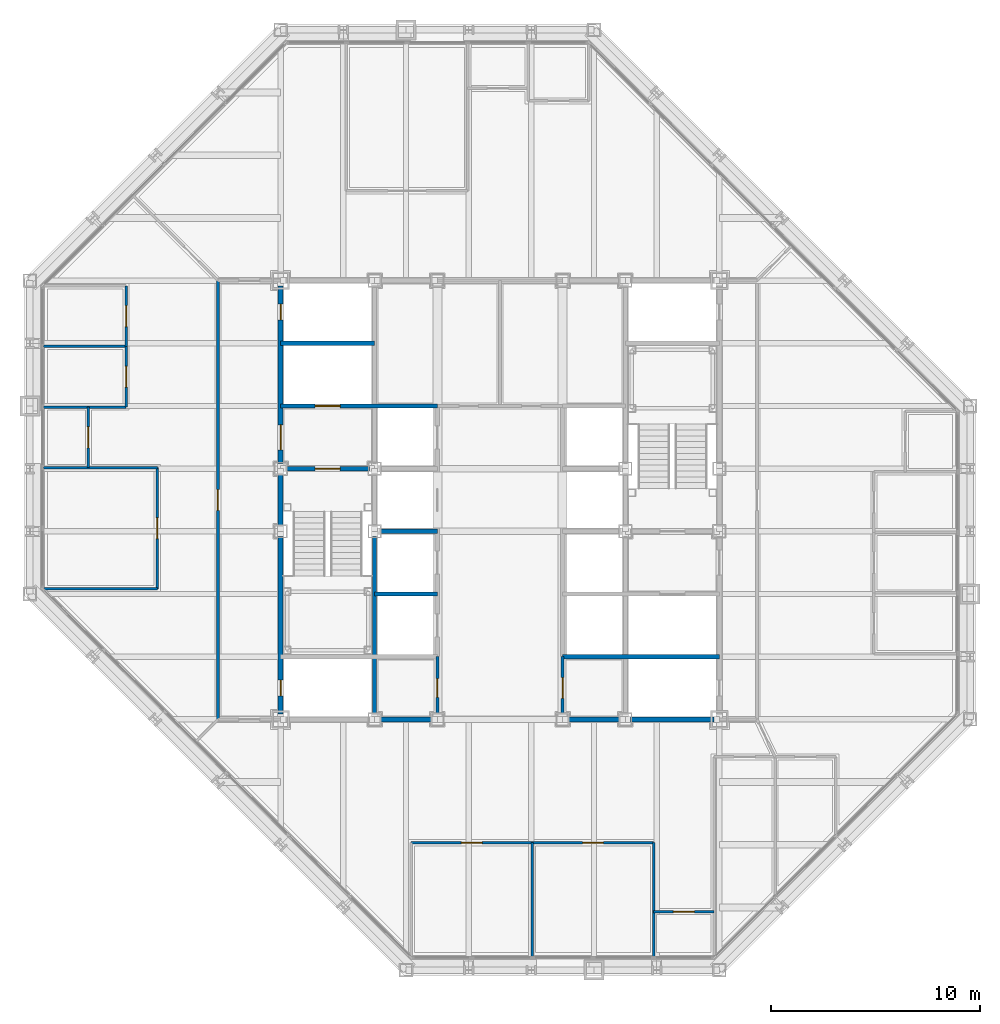
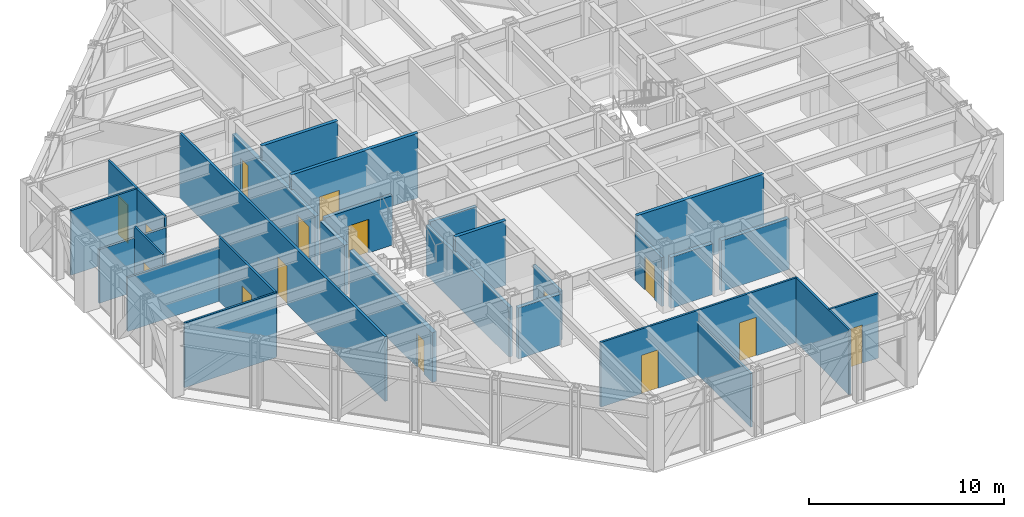
# One storey, part 11 of 16: 29 walls, 15 doors, 15 openings.
"""IFC4 building model written with IfcOpenShell, lengths in metres."""

import ifcopenshell
import ifcopenshell.guid

model = None  # the IFC model being written
_history = None  # IfcOwnerHistory: only IFC2X3 demands one
_inside = {}  # id of a spatial element -> (the spatial element, [elements in it])
_under = {}  # id of a project, library or spatial element -> (it, [spatial elements below it])
_declared = {}  # id of a project -> (the project, [libraries it declares])
_typed = {}  # id of a type object -> (the type object, [elements of that type])
_made_of = {}  # id of a material, layer set ... -> (it, [elements and type objects made of it])


def new_model(schema):
    """Start an empty IFC model of exactly this schema.

    Asked for "IFC4X3", IfcOpenShell would pick the latest addendum, in which some entities
    have other attributes; the version numbers below select the first issue.
    IFC2X3 requires an IfcOwnerHistory on every rooted entity: one is made here for all.
    """
    global model, _history
    if schema == "IFC4X3":
        model = ifcopenshell.file(schema_version=(4, 3, 0, 0))
    else:
        model = ifcopenshell.file(schema=schema)
    _inside.clear()
    _under.clear()
    _declared.clear()
    _typed.clear()
    _made_of.clear()
    _history = None
    if model.schema == "IFC2X3":
        org = make("IfcOrganization", Name="unknown")
        user = make(
            "IfcPersonAndOrganization",
            ThePerson=make("IfcPerson", FamilyName="unknown"),
            TheOrganization=org,
        )
        app = make(
            "IfcApplication",
            ApplicationDeveloper=org,
            Version="unknown",
            ApplicationFullName="unknown",
            ApplicationIdentifier="unknown",
        )
        _history = make(
            "IfcOwnerHistory",
            OwningUser=user,
            OwningApplication=app,
            ChangeAction="ADDED",
            CreationDate=0,
        )
    return model


def make(cls, **values):
    """One entity of the class cls with the attributes given. An attribute that is None is left unset."""
    return model.create_entity(
        cls, **{name: value for name, value in values.items() if value is not None}
    )


def rooted(cls, **values):
    """An entity with a GlobalId (a new one), such as an element, a storey or a relation."""
    return make(cls, GlobalId=ifcopenshell.guid.new(), OwnerHistory=_history, **values)


def si_unit(unit_type, name, prefix=None):
    """IfcSIUnit, for example si_unit("LENGTHUNIT", "METRE", prefix="MILLI")."""
    return make("IfcSIUnit", UnitType=unit_type, Prefix=prefix, Name=name)


def assignment(units):
    """IfcUnitAssignment: the units of a project."""
    return None if units is None else make("IfcUnitAssignment", Units=units)


def point(xyz):
    """IfcCartesianPoint."""
    return None if xyz is None else make("IfcCartesianPoint", Coordinates=xyz)


def direction(xyz):
    """IfcDirection."""
    return None if xyz is None else make("IfcDirection", DirectionRatios=xyz)


def frame(location, z_axis=None, x_axis=None):
    """IfcAxis2Placement3D, a coordinate frame: its origin and axes. An axis left out is left unset."""
    return make(
        "IfcAxis2Placement3D",
        Location=point(location),
        Axis=direction(z_axis),
        RefDirection=direction(x_axis),
    )


def frame_2d(location, x_axis=None):
    """IfcAxis2Placement2D, a coordinate frame in the plane: its origin and x axis."""
    return make(
        "IfcAxis2Placement2D", Location=point(location), RefDirection=direction(x_axis)
    )


def origin():
    """The frame at (0, 0, 0) with its axes left unset."""
    return frame((0.0, 0.0, 0.0))


def place(relative_to, where):
    """IfcLocalPlacement: puts the frame where relative to a parent placement (None: the world)."""
    return make(
        "IfcLocalPlacement", PlacementRelTo=relative_to, RelativePlacement=where
    )


def context(
    kind, dimensions, precision=None, world=None, true_north=None, identifier=None
):
    """IfcGeometricRepresentationContext, for example the 3D "Model" context."""
    return make(
        "IfcGeometricRepresentationContext",
        ContextIdentifier=identifier,
        ContextType=kind,
        CoordinateSpaceDimension=dimensions,
        Precision=precision,
        WorldCoordinateSystem=world,
        TrueNorth=true_north,
    )


def subcontext(parent, identifier, kind, view, scale=None):
    """IfcGeometricRepresentationSubContext, for example "Body" below "Model"."""
    return make(
        "IfcGeometricRepresentationSubContext",
        ContextIdentifier=identifier,
        ContextType=kind,
        ParentContext=parent,
        TargetScale=scale,
        TargetView=view,
    )


def project(units=None, contexts=None):
    """IfcProject with its units and contexts."""
    return rooted(
        "IfcProject",
        Name="project",
        RepresentationContexts=contexts,
        UnitsInContext=assignment(units),
    )


def spatial(cls, under=None, at=None, **own):
    """A site, building, storey or space (cls), placed at a placement, below another one or the project."""
    s = rooted(cls, ObjectPlacement=at, **own)
    if under is not None:
        _under.setdefault(under.id(), (under, []))[1].append(s)
    return s


def profile(cls, at=None, kind="AREA", **sizes):
    """A parametric profile (cls). Its sizes go by their IFC names, for example OverallWidth=200.0."""
    return make(cls, ProfileType=kind, Position=at, **sizes)


def rectangle(**sizes):
    """IfcRectangleProfileDef."""
    return profile("IfcRectangleProfileDef", **sizes)


def extrude(swept, where, along, depth):
    """IfcExtrudedAreaSolid: the profile swept, set in the frame where, extruded along a direction by depth."""
    return make(
        "IfcExtrudedAreaSolid",
        SweptArea=swept,
        Position=where,
        ExtrudedDirection=direction(along),
        Depth=depth,
    )


def shape(context_of_items, identifier, shape_type, items):
    """IfcShapeRepresentation: the items that make up one representation, for example the "Body"."""
    return make(
        "IfcShapeRepresentation",
        ContextOfItems=context_of_items,
        RepresentationIdentifier=identifier,
        RepresentationType=shape_type,
        Items=items,
    )


def material(Name=None, Category=None):
    """IfcMaterial."""
    return make("IfcMaterial", Name=Name, Category=Category)


def layer(
    of_material, thickness, ventilated=None, Name=None, Category=None, Priority=None
):
    """IfcMaterialLayer: one layer of a wall or slab, of a material (None: an air gap)."""
    return make(
        "IfcMaterialLayer",
        Material=of_material,
        LayerThickness=thickness,
        IsVentilated=ventilated,
        Name=Name,
        Category=Category,
        Priority=Priority,
    )


def layer_set(layers, Name=None):
    """IfcMaterialLayerSet."""
    return make("IfcMaterialLayerSet", MaterialLayers=layers, LayerSetName=Name)


def made_of(thing, what):
    """Note that an element or type object is made of a material, layer set ...; save() writes the relation."""
    if what is not None:
        _made_of.setdefault(what.id(), (what, []))[1].append(thing)
    return thing


def type_object(cls, material=None, **own):
    """A type object (cls), such as IfcWallType, which elements share."""
    return made_of(rooted(cls, **own), material)


def element(
    cls,
    number,
    at=None,
    inside=None,
    cuts=None,
    type_object=None,
    material=None,
    context=None,
    identifier="Body",
    shape_type=None,
    held_by="IfcProductDefinitionShape",
    body=None,
    shapes=None,
    **own,
):
    """One element of the class cls, such as IfcWall. Its Tag is "e" and its number.

    at: its placement. inside: the storey or other place that contains it. cuts: it is an
    opening in that element (IfcRelVoidsElement). A single representation is given by context,
    identifier, shape_type and body (its items); several are given by shapes. held_by: the class
    of the entity that holds the representations. save() writes the other relations.
    """
    e = rooted(cls, Tag="e%d" % number, ObjectPlacement=at, **own)
    if body is not None:
        shapes = [shape(context, identifier, shape_type, body)]
    if shapes is not None:
        e.Representation = make(held_by, Representations=shapes)
    if inside is not None:
        _inside.setdefault(inside.id(), (inside, []))[1].append(e)
    if cuts is not None:
        rooted(
            "IfcRelVoidsElement", RelatingBuildingElement=cuts, RelatedOpeningElement=e
        )
    if type_object is not None:
        _typed.setdefault(type_object.id(), (type_object, []))[1].append(e)
    return made_of(e, material)


def fill(opening, filler):
    """IfcRelFillsElement: the door or window that sits in an opening."""
    return rooted(
        "IfcRelFillsElement",
        RelatingOpeningElement=opening,
        RelatedBuildingElement=filler,
    )


def aggregate(whole, parts):
    """IfcRelAggregates: a whole, such as a stair, and the parts it consists of."""
    return rooted("IfcRelAggregates", RelatingObject=whole, RelatedObjects=parts)


def save(model, path):
    """Write the relations noted so far, then the file.

    IfcRelAggregates (storeys below a building ...), IfcRelContainedInSpatialStructure (elements
    in a storey), IfcRelDefinesByType, IfcRelAssociatesMaterial and IfcRelDeclares: one each for
    every whole, place, type object, material and project.
    """
    for whole, parts in _under.values():
        aggregate(whole, parts)
    for where, things in _inside.values():
        rooted(
            "IfcRelContainedInSpatialStructure",
            RelatedElements=things,
            RelatingStructure=where,
        )
    for kind, things in _typed.values():
        rooted("IfcRelDefinesByType", RelatedObjects=things, RelatingType=kind)
    for what, things in _made_of.values():
        rooted("IfcRelAssociatesMaterial", RelatedObjects=things, RelatingMaterial=what)
    for by, libraries in _declared.values():
        rooted("IfcRelDeclares", RelatingContext=by, RelatedDefinitions=libraries)
    model.write(path)


model = new_model("IFC4")

# Units and contexts
model_context = context("Model", 3, precision=1e-05, world=origin(), true_north=direction((0.0, 1.0)))
body_context = subcontext(model_context, "Body", "Model", "MODEL_VIEW")
ifc_project = project(units=[si_unit("LENGTHUNIT", "METRE"), si_unit("AREAUNIT", "SQUARE_METRE"), si_unit("VOLUMEUNIT", "CUBIC_METRE"), si_unit("PLANEANGLEUNIT", "RADIAN"), si_unit("MASSUNIT", "GRAM", prefix="KILO")], contexts=[model_context])

# Site, building, storey
site_placement = place(None, origin())
site = spatial("IfcSite", under=ifc_project, at=site_placement, CompositionType="ELEMENT")
building_placement = place(site_placement, origin())
building = spatial("IfcBuilding", under=site, at=building_placement, Name="Chuquiago Exchange Tower", CompositionType="ELEMENT")
storey_placement = place(building_placement, frame((0.0, 0.0, 209.699951171875)))
storey = spatial("IfcBuildingStorey", under=building, at=storey_placement, Name="L46", CompositionType="ELEMENT", Elevation=209.699951171875)

# Wall, opening, door
ifc_material_1 = material(Name="Concrete masonry, fully grouted", Category="masonry")
ifc_layer_1 = layer(ifc_material_1, 0.25)
ifc_layer_set_1 = layer_set([ifc_layer_1], Name="W1 core wall 250")
wall_type_1 = type_object("IfcWallType", Name="W1 core wall 250", PredefinedType="SOLIDWALL", material=ifc_layer_set_1)
wall_1_placement = place(storey_placement, frame((12.0, 12.25, 0.0), z_axis=(0.0, 0.0, 1.0), x_axis=(0.0, 1.0, 0.0)))
wall_1 = element("IfcWall", 1, at=wall_1_placement, inside=storey, type_object=wall_type_1, Name="CW-L46-00-0", PredefinedType="SOLIDWALL", context=body_context, shape_type="SweptSolid", body=[
    extrude(rectangle(XDim=8.5, YDim=0.25, at=frame_2d((4.25, 0.0))), origin(), (0.0, 0.0, 1.0), 3.113037109375),
])
opening_1_placement = place(wall_1_placement, frame((0.875, 0.0, 0.0)))
opening_1 = element("IfcOpeningElement", 2, at=opening_1_placement, cuts=wall_1, Name="Opening L46-007", PredefinedType="OPENING", context=body_context, shape_type="SweptSolid", body=[
    extrude(rectangle(XDim=0.75, YDim=2.10009765625, at=frame_2d((0.375, 1.050048828125))), frame((0.0, 0.135009765625, 0.0), z_axis=(0.0, -1.0, 0.0), x_axis=(1.0, 0.0, 0.0)), (0.0, 0.0, 1.0), 0.27001953125),
])
ifc_material_2 = material(Name="Steel door, painted", Category="steel")
door_type_1 = type_object("IfcDoorType", Name="D6 riser access door 750x2100", OperationType="SINGLE_SWING_LEFT", PredefinedType="DOOR", material=ifc_material_2)
door_1_placement = place(opening_1_placement, origin())
door_1 = element("IfcDoor", 3, at=door_1_placement, inside=storey, type_object=door_type_1, Name="Riser RW1 door", OperationType="SINGLE_SWING_LEFT", OverallHeight=2.10009765625, OverallWidth=0.75, PredefinedType="DOOR", context=body_context, shape_type="SweptSolid", body=[
    extrude(rectangle(XDim=0.75, YDim=2.10009765625, at=frame_2d((0.375, 1.050048828125))), frame((0.0, 0.02490234375, 0.0), z_axis=(0.0, -1.0, 0.0), x_axis=(1.0, 0.0, 0.0)), (0.0, 0.0, 1.0), 0.050048828125),
])
fill(opening_1, door_1)

# Wall
wall_2_placement = place(storey_placement, frame((12.0, 21.25, 0.0), z_axis=(0.0, 0.0, 1.0), x_axis=(0.0, 1.0, 0.0)))
element("IfcWall", 4, at=wall_2_placement, inside=storey, type_object=wall_type_1, Name="CW-L46-00-1", PredefinedType="SOLIDWALL", context=body_context, shape_type="SweptSolid", body=[
    extrude(rectangle(XDim=2.5, YDim=0.25, at=frame_2d((1.25, 0.0))), origin(), (0.0, 0.0, 1.0), 3.113037109375),
])

# Wall, openings, doors
wall_3_placement = place(storey_placement, frame((12.0, 24.25, 0.0), z_axis=(0.0, 0.0, 1.0), x_axis=(0.0, 1.0, 0.0)))
wall_3 = element("IfcWall", 5, at=wall_3_placement, inside=storey, type_object=wall_type_1, Name="CW-L46-00-2", PredefinedType="SOLIDWALL", context=body_context, shape_type="SweptSolid", body=[
    extrude(rectangle(XDim=8.5, YDim=0.25, at=frame_2d((4.25, 0.0))), origin(), (0.0, 0.0, 1.0), 3.113037109375),
])
opening_2_placement = place(wall_3_placement, frame((0.64990234375, 0.0, 0.0)))
opening_2 = element("IfcOpeningElement", 6, at=opening_2_placement, cuts=wall_3, Name="Opening L46-002", PredefinedType="OPENING", context=body_context, shape_type="SweptSolid", body=[
    extrude(rectangle(XDim=1.199951171875, YDim=2.10009765625, at=frame_2d((0.60009765625, 1.050048828125))), frame((0.0, 0.135009765625, 0.0), z_axis=(0.0, -1.0, 0.0), x_axis=(1.0, 0.0, 0.0)), (0.0, 0.0, 1.0), 0.27001953125),
])
opening_3_placement = place(wall_3_placement, frame((6.875, 0.0, 0.0)))
opening_3 = element("IfcOpeningElement", 7, at=opening_3_placement, cuts=wall_3, Name="Opening L46-008", PredefinedType="OPENING", context=body_context, shape_type="SweptSolid", body=[
    extrude(rectangle(XDim=0.75, YDim=2.10009765625, at=frame_2d((0.375, 1.050048828125))), frame((0.0, 0.135009765625, 0.0), z_axis=(0.0, -1.0, 0.0), x_axis=(1.0, 0.0, 0.0)), (0.0, 0.0, 1.0), 0.27001953125),
])
ifc_material_3 = material(Name="Steel door, painted", Category="steel")
door_type_2 = type_object("IfcDoorType", Name="D5 firefighting lobby door 1200x2100", OperationType="SINGLE_SWING_LEFT", PredefinedType="DOOR", material=ifc_material_3)
door_2_placement = place(opening_2_placement, frame((1.199951171875, 0.0, 0.0), z_axis=(0.0, 0.0, 1.0), x_axis=(-1.0, 0.0, 0.0)))
door_2 = element("IfcDoor", 8, at=door_2_placement, inside=storey, type_object=door_type_2, Name="Firefighting lobby 1 door", OperationType="SINGLE_SWING_RIGHT", OverallHeight=2.10009765625, OverallWidth=1.199951171875, PredefinedType="DOOR", context=body_context, shape_type="SweptSolid", body=[
    extrude(rectangle(XDim=1.199951171875, YDim=2.10009765625, at=frame_2d((0.60009765625, 1.050048828125))), frame((0.0, 0.02490234375, 0.0), z_axis=(0.0, -1.0, 0.0), x_axis=(1.0, 0.0, 0.0)), (0.0, 0.0, 1.0), 0.050048828125),
])
fill(opening_2, door_2)
door_3_placement = place(opening_3_placement, origin())
door_3 = element("IfcDoor", 9, at=door_3_placement, inside=storey, type_object=door_type_1, Name="Riser RW2 door", OperationType="SINGLE_SWING_RIGHT", OverallHeight=2.10009765625, OverallWidth=0.75, PredefinedType="DOOR", context=body_context, shape_type="SweptSolid", body=[
    extrude(rectangle(XDim=0.75, YDim=2.10009765625, at=frame_2d((0.375, 1.050048828125))), frame((0.0, 0.02490234375, 0.0), z_axis=(0.0, -1.0, 0.0), x_axis=(1.0, 0.0, 0.0)), (0.0, 0.0, 1.0), 0.050048828125),
])
fill(opening_3, door_3)

# Walls
for number, where, z_axis, x_axis, name in (
    (10, (16.75, 12.0, 0.0), (0.0, 0.0, 1.0), (1.0, 0.0, 0.0), "CW-L46-01-1"),
    (11, (25.75, 12.0, 0.0), (0.0, 0.0, 1.0), (1.0, 0.0, 0.0), "CW-L46-02-0"),
):
    element("IfcWall", number, at=place(storey_placement, frame(where, z_axis=z_axis, x_axis=x_axis)), inside=storey, type_object=wall_type_1, Name=name, PredefinedType="SOLIDWALL", context=body_context, shape_type="SweptSolid", body=[
        extrude(rectangle(XDim=2.5, YDim=0.25, at=frame_2d((1.25, 0.0))), origin(), (0.0, 0.0, 1.0), 3.181640625),
    ])
wall_4_placement = place(storey_placement, frame((28.75, 12.0, 0.0), z_axis=(0.0, 0.0, 1.0), x_axis=(1.0, 0.0, 0.0)))
element("IfcWall", 12, at=wall_4_placement, inside=storey, type_object=wall_type_1, Name="CW-L46-02-1", PredefinedType="SOLIDWALL", context=body_context, shape_type="SweptSolid", body=[
    extrude(rectangle(XDim=4.0, YDim=0.25, at=frame_2d((2.0, 0.0))), origin(), (0.0, 0.0, 1.0), 3.181640625),
])

# Wall, opening, door
ifc_material_4 = material(Name="Gypsum board on steel studs, acoustic insulation", Category="steel")
ifc_layer_2 = layer(ifc_material_4, 0.14990234375)
ifc_layer_set_2 = layer_set([ifc_layer_2], Name="W11 corridor wall 150")
wall_type_2 = type_object("IfcWallType", Name="W11 corridor wall 150", PredefinedType="PARTITIONING", material=ifc_layer_set_2)
wall_5_placement = place(storey_placement, frame((9.0, 12.0, 0.0), z_axis=(0.0, 0.0, 1.0), x_axis=(0.0, 1.0, 0.0)))
wall_5 = element("IfcWall", 13, at=wall_5_placement, inside=storey, type_object=wall_type_2, Name="PW-L46-GW0", PredefinedType="PARTITIONING", context=body_context, shape_type="SweptSolid", body=[
    extrude(rectangle(XDim=21.0, YDim=0.14990234375, at=frame_2d((10.5, 0.0))), origin(), (0.0, 0.0, 1.0), 4.0400390625),
])
opening_4_placement = place(wall_5_placement, frame((10.0, 0.0, 0.0)))
opening_4 = element("IfcOpeningElement", 14, at=opening_4_placement, cuts=wall_5, Name="Opening L46-035", PredefinedType="OPENING", context=body_context, shape_type="SweptSolid", body=[
    extrude(rectangle(XDim=1.0, YDim=2.39990234375, at=frame_2d((0.5, 1.199951171875))), frame((0.0, 0.0849609375, 0.0), z_axis=(0.0, -1.0, 0.0), x_axis=(1.0, 0.0, 0.0)), (0.0, 0.0, 1.0), 0.169921875),
])
ifc_material_5 = material(Name="Timber door, laminate faced", Category="wood")
door_type_3 = type_object("IfcDoorType", Name="D9 room door 1000x2400", OperationType="SINGLE_SWING_LEFT", PredefinedType="DOOR", material=ifc_material_5)
door_4_placement = place(opening_4_placement, origin())
door_4 = element("IfcDoor", 15, at=door_4_placement, inside=storey, type_object=door_type_3, Name="Team area door", OperationType="SINGLE_SWING_LEFT", OverallHeight=2.39990234375, OverallWidth=1.0, PredefinedType="DOOR", context=body_context, shape_type="SweptSolid", body=[
    extrude(rectangle(XDim=1.0, YDim=2.39990234375, at=frame_2d((0.5, 1.199951171875))), frame((0.0, 0.02490234375, 0.0), z_axis=(0.0, -1.0, 0.0), x_axis=(1.0, 0.0, 0.0)), (0.0, 0.0, 1.0), 0.050048828125),
])
fill(opening_4, door_4)

# Wall
ifc_material_6 = material(Name="Concrete masonry, fully grouted", Category="masonry")
ifc_layer_3 = layer(ifc_material_6, 0.199951171875)
ifc_layer_set_3 = layer_set([ifc_layer_3], Name="W2 shaft wall 200")
wall_type_3 = type_object("IfcWallType", Name="W2 shaft wall 200", PredefinedType="SOLIDWALL", material=ifc_layer_set_3)
wall_6_placement = place(storey_placement, frame((25.5, 15.0, 0.0), z_axis=(0.0, 0.0, 1.0), x_axis=(1.0, 0.0, 0.0)))
element("IfcWall", 16, at=wall_6_placement, inside=storey, type_object=wall_type_3, Name="CW-L46-04-0", PredefinedType="SOLIDWALL", context=body_context, shape_type="SweptSolid", body=[
    extrude(rectangle(XDim=7.5, YDim=0.199951171875, at=frame_2d((3.75, 0.0))), origin(), (0.0, 0.0, 1.0), 4.0400390625),
])

# Wall, opening, door
wall_7_placement = place(storey_placement, frame((12.25, 24.0, 0.0), z_axis=(0.0, 0.0, 1.0), x_axis=(1.0, 0.0, 0.0)))
wall_7 = element("IfcWall", 17, at=wall_7_placement, inside=storey, type_object=wall_type_3, Name="CW-L46-05-0", PredefinedType="SOLIDWALL", context=body_context, shape_type="SweptSolid", body=[
    extrude(rectangle(XDim=4.0, YDim=0.199951171875, at=frame_2d((2.0, 0.0))), origin(), (0.0, 0.0, 1.0), 3.090087890625),
])
opening_5_placement = place(wall_7_placement, frame((1.39990234375, 0.0, 0.0)))
opening_5 = element("IfcOpeningElement", 18, at=opening_5_placement, cuts=wall_7, Name="Opening L46-001", PredefinedType="OPENING", context=body_context, shape_type="SweptSolid", body=[
    extrude(rectangle(XDim=1.199951171875, YDim=2.10009765625, at=frame_2d((0.60009765625, 1.050048828125))), frame((0.0, 0.10986328125, 0.0), z_axis=(0.0, -1.0, 0.0), x_axis=(1.0, 0.0, 0.0)), (0.0, 0.0, 1.0), 0.219970703125),
])
ifc_material_7 = material(Name="Steel door, painted", Category="steel")
door_type_4 = type_object("IfcDoorType", Name="D4 stair door 1200x2100", OperationType="SINGLE_SWING_LEFT", PredefinedType="DOOR", material=ifc_material_7)
door_5_placement = place(opening_5_placement, frame((1.199951171875, 0.0, 0.0), z_axis=(0.0, 0.0, 1.0), x_axis=(-1.0, 0.0, 0.0)))
door_5 = element("IfcDoor", 19, at=door_5_placement, inside=storey, type_object=door_type_4, Name="Stair ST1 door", OperationType="SINGLE_SWING_RIGHT", OverallHeight=2.10009765625, OverallWidth=1.199951171875, PredefinedType="DOOR", context=body_context, shape_type="SweptSolid", body=[
    extrude(rectangle(XDim=1.199951171875, YDim=2.10009765625, at=frame_2d((0.60009765625, 1.050048828125))), frame((0.0, 0.02490234375, 0.0), z_axis=(0.0, -1.0, 0.0), x_axis=(1.0, 0.0, 0.0)), (0.0, 0.0, 1.0), 0.050048828125),
])
fill(opening_5, door_5)

wall_8_placement = place(storey_placement, frame((12.0, 27.0, 0.0), z_axis=(0.0, 0.0, 1.0), x_axis=(1.0, 0.0, 0.0)))
wall_8 = element("IfcWall", 20, at=wall_8_placement, inside=storey, type_object=wall_type_3, Name="CW-L46-07-0", PredefinedType="SOLIDWALL", context=body_context, shape_type="SweptSolid", body=[
    extrude(rectangle(XDim=7.5, YDim=0.199951171875, at=frame_2d((3.75, 0.0))), origin(), (0.0, 0.0, 1.0), 4.0400390625),
])
opening_6_placement = place(wall_8_placement, frame((1.64990234375, 0.0, 0.0)))
opening_6 = element("IfcOpeningElement", 21, at=opening_6_placement, cuts=wall_8, Name="Opening L46-005", PredefinedType="OPENING", context=body_context, shape_type="SweptSolid", body=[
    extrude(rectangle(XDim=1.199951171875, YDim=2.10009765625, at=frame_2d((0.60009765625, 1.050048828125))), frame((0.0, 0.10986328125, 0.0), z_axis=(0.0, -1.0, 0.0), x_axis=(1.0, 0.0, 0.0)), (0.0, 0.0, 1.0), 0.219970703125),
])
ifc_material_8 = material(Name="Stainless steel lift landing door", Category="steel")
door_type_5 = type_object("IfcDoorType", Name="LD2 firefighting lift landing door 1200x2100", OperationType="DOUBLE_DOOR_SLIDING", PredefinedType="DOOR", material=ifc_material_8)
door_6_placement = place(opening_6_placement, origin())
door_6 = element("IfcDoor", 22, at=door_6_placement, inside=storey, type_object=door_type_5, Name="Firefighting lift FL1 landing door", OperationType="DOUBLE_DOOR_SLIDING", OverallHeight=2.10009765625, OverallWidth=1.199951171875, PredefinedType="DOOR", context=body_context, shape_type="SweptSolid", body=[
    extrude(rectangle(XDim=1.199951171875, YDim=2.10009765625, at=frame_2d((0.60009765625, 1.050048828125))), frame((0.0, 0.02490234375, 0.0), z_axis=(0.0, -1.0, 0.0), x_axis=(1.0, 0.0, 0.0)), (0.0, 0.0, 1.0), 0.050048828125),
])
fill(opening_6, door_6)

# Walls
wall_9_placement = place(storey_placement, frame((12.0, 30.0, 0.0), z_axis=(0.0, 0.0, 1.0), x_axis=(1.0, 0.0, 0.0)))
element("IfcWall", 23, at=wall_9_placement, inside=storey, type_object=wall_type_3, Name="CW-L46-09-0", PredefinedType="SOLIDWALL", context=body_context, shape_type="SweptSolid", body=[
    extrude(rectangle(XDim=4.5, YDim=0.199951171875, at=frame_2d((2.25, 0.0))), origin(), (0.0, 0.0, 1.0), 4.0400390625),
])
wall_10_placement = place(storey_placement, frame((16.5, 12.25, 0.0), z_axis=(0.0, 0.0, 1.0), x_axis=(0.0, 1.0, 0.0)))
element("IfcWall", 24, at=wall_10_placement, inside=storey, type_object=wall_type_3, Name="CW-L46-13-0", PredefinedType="SOLIDWALL", context=body_context, shape_type="SweptSolid", body=[
    extrude(rectangle(XDim=8.5, YDim=0.199951171875, at=frame_2d((4.25, 0.0))), origin(), (0.0, 0.0, 1.0), 3.113037109375),
])
wall_11_placement = place(storey_placement, frame((16.5, 18.0, 0.0), z_axis=(0.0, 0.0, 1.0), x_axis=(1.0, 0.0, 0.0)))
element("IfcWall", 25, at=wall_11_placement, inside=storey, type_object=wall_type_3, Name="CW-L46-14-0", PredefinedType="SOLIDWALL", context=body_context, shape_type="SweptSolid", body=[
    extrude(rectangle(XDim=3.0, YDim=0.199951171875, at=frame_2d((1.5, 0.0))), origin(), (0.0, 0.0, 1.0), 4.0400390625),
])
wall_12_placement = place(storey_placement, frame((16.75, 21.0, 0.0), z_axis=(0.0, 0.0, 1.0), x_axis=(1.0, 0.0, 0.0)))
element("IfcWall", 26, at=wall_12_placement, inside=storey, type_object=wall_type_3, Name="CW-L46-16-0", PredefinedType="SOLIDWALL", context=body_context, shape_type="SweptSolid", body=[
    extrude(rectangle(XDim=2.75, YDim=0.199951171875, at=frame_2d((1.375, 0.0))), origin(), (0.0, 0.0, 1.0), 3.090087890625),
])

# Wall, opening, door
ifc_material_9 = material(Name="Gypsum board on steel studs", Category="steel")
ifc_layer_4 = layer(ifc_material_9, 0.14990234375)
ifc_layer_set_4 = layer_set([ifc_layer_4], Name="W3 core partition 150")
wall_type_4 = type_object("IfcWallType", Name="W3 core partition 150", PredefinedType="PARTITIONING", material=ifc_layer_set_4)
wall_13_placement = place(storey_placement, frame((19.5, 12.25, 0.0), z_axis=(0.0, 0.0, 1.0), x_axis=(0.0, 1.0, 0.0)))
wall_13 = element("IfcWall", 27, at=wall_13_placement, inside=storey, type_object=wall_type_4, Name="CW-L46-18-0", PredefinedType="PARTITIONING", context=body_context, shape_type="SweptSolid", body=[
    extrude(rectangle(XDim=2.75, YDim=0.14990234375, at=frame_2d((1.375, 0.0))), origin(), (0.0, 0.0, 1.0), 3.064697265625),
])
opening_7_placement = place(wall_13_placement, frame((0.800048828125, 0.0, 0.0)))
opening_7 = element("IfcOpeningElement", 28, at=opening_7_placement, cuts=wall_13, Name="Opening L46-014", PredefinedType="OPENING", context=body_context, shape_type="SweptSolid", body=[
    extrude(rectangle(XDim=0.89990234375, YDim=2.10009765625, at=frame_2d((0.449951171875, 1.050048828125))), frame((0.0, 0.0849609375, 0.0), z_axis=(0.0, -1.0, 0.0), x_axis=(1.0, 0.0, 0.0)), (0.0, 0.0, 1.0), 0.169921875),
])
ifc_material_10 = material(Name="Timber door, laminate faced", Category="wood")
door_type_6 = type_object("IfcDoorType", Name="D7 toilet door 900x2100", OperationType="SINGLE_SWING_LEFT", PredefinedType="DOOR", material=ifc_material_10)
door_7_placement = place(opening_7_placement, frame((0.89990234375, 0.0, 0.0), z_axis=(0.0, 0.0, 1.0), x_axis=(-1.0, 0.0, 0.0)))
door_7 = element("IfcDoor", 29, at=door_7_placement, inside=storey, type_object=door_type_6, Name="Cleaner door", OperationType="SINGLE_SWING_RIGHT", OverallHeight=2.10009765625, OverallWidth=0.89990234375, PredefinedType="DOOR", context=body_context, shape_type="SweptSolid", body=[
    extrude(rectangle(XDim=0.89990234375, YDim=2.10009765625, at=frame_2d((0.449951171875, 1.050048828125))), frame((0.0, 0.02490234375, 0.0), z_axis=(0.0, -1.0, 0.0), x_axis=(1.0, 0.0, 0.0)), (0.0, 0.0, 1.0), 0.050048828125),
])
fill(opening_7, door_7)

wall_14_placement = place(storey_placement, frame((25.5, 12.25, 0.0), z_axis=(0.0, 0.0, 1.0), x_axis=(0.0, 1.0, 0.0)))
wall_14 = element("IfcWall", 30, at=wall_14_placement, inside=storey, type_object=wall_type_4, Name="CW-L46-21-0", PredefinedType="PARTITIONING", context=body_context, shape_type="SweptSolid", body=[
    extrude(rectangle(XDim=2.75, YDim=0.14990234375, at=frame_2d((1.375, 0.0))), origin(), (0.0, 0.0, 1.0), 3.064697265625),
])
opening_8_placement = place(wall_14_placement, frame((0.75, 0.0, 0.0)))
opening_8 = element("IfcOpeningElement", 31, at=opening_8_placement, cuts=wall_14, Name="Opening L46-013", PredefinedType="OPENING", context=body_context, shape_type="SweptSolid", body=[
    extrude(rectangle(XDim=1.0, YDim=2.10009765625, at=frame_2d((0.5, 1.050048828125))), frame((0.0, 0.0849609375, 0.0), z_axis=(0.0, -1.0, 0.0), x_axis=(1.0, 0.0, 0.0)), (0.0, 0.0, 1.0), 0.169921875),
])
ifc_material_11 = material(Name="Timber door, laminate faced", Category="wood")
door_type_7 = type_object("IfcDoorType", Name="D8 accessible toilet door 1000x2100", OperationType="SLIDING_TO_LEFT", PredefinedType="DOOR", material=ifc_material_11)
door_8_placement = place(opening_8_placement, origin())
door_8 = element("IfcDoor", 32, at=door_8_placement, inside=storey, type_object=door_type_7, Name="Accessible WC door", OperationType="SLIDING_TO_LEFT", OverallHeight=2.10009765625, OverallWidth=1.0, PredefinedType="DOOR", context=body_context, shape_type="SweptSolid", body=[
    extrude(rectangle(XDim=1.0, YDim=2.10009765625, at=frame_2d((0.5, 1.050048828125))), frame((0.0, 0.02490234375, 0.0), z_axis=(0.0, -1.0, 0.0), x_axis=(1.0, 0.0, 0.0)), (0.0, 0.0, 1.0), 0.050048828125),
])
fill(opening_8, door_8)

# Walls
ifc_material_12 = material(Name="Gypsum board on steel studs", Category="steel")
ifc_layer_5 = layer(ifc_material_12, 0.1201171875)
ifc_layer_set_5 = layer_set([ifc_layer_5], Name="W4 partition 120")
wall_type_5 = type_object("IfcWallType", Name="W4 partition 120", PredefinedType="PARTITIONING", material=ifc_layer_set_5)
wall_15_placement = place(storey_placement, frame((24.0498046875, 0.652587890625, 0.0), z_axis=(0.0, 0.0, 1.0), x_axis=(0.0, 1.0, 0.0)))
element("IfcWall", 33, at=wall_15_placement, inside=storey, type_object=wall_type_5, Name="PW-L46-S02405", PredefinedType="PARTITIONING", context=body_context, shape_type="SweptSolid", body=[
    extrude(rectangle(XDim=5.447509765625, YDim=0.1201171875, at=frame_2d((2.7236328125, 0.0))), origin(), (0.0, 0.0, 1.0), 3.35693359375),
])
wall_16_placement = place(storey_placement, frame((29.850830078125, 0.652587890625, 0.0), z_axis=(0.0, 0.0, 1.0), x_axis=(0.0, 1.0, 0.0)))
element("IfcWall", 34, at=wall_16_placement, inside=storey, type_object=wall_type_5, Name="PW-L46-S02985", PredefinedType="PARTITIONING", context=body_context, shape_type="SweptSolid", body=[
    extrude(rectangle(XDim=5.447509765625, YDim=0.1201171875, at=frame_2d((2.7236328125, 0.0))), origin(), (0.0, 0.0, 1.0), 4.0400390625),
])

# Wall, opening, door
wall_17_placement = place(storey_placement, frame((18.24853515625, 6.10009765625, 0.0), z_axis=(0.0, 0.0, 1.0), x_axis=(1.0, 0.0, 0.0)))
wall_17 = element("IfcWall", 35, at=wall_17_placement, inside=storey, type_object=wall_type_5, Name="PW-L46-SF01825", PredefinedType="PARTITIONING", context=body_context, shape_type="SweptSolid", body=[
    extrude(rectangle(XDim=5.80126953125, YDim=0.1201171875, at=frame_2d((2.900634765625, 0.0))), origin(), (0.0, 0.0, 1.0), 4.0400390625),
])
opening_9_placement = place(wall_17_placement, frame((2.400634765625, 0.0, 0.0)))
opening_9 = element("IfcOpeningElement", 36, at=opening_9_placement, cuts=wall_17, Name="Opening L46-019", PredefinedType="OPENING", context=body_context, shape_type="SweptSolid", body=[
    extrude(rectangle(XDim=1.0, YDim=2.39990234375, at=frame_2d((0.5, 1.199951171875))), frame((0.0, 0.070068359375, 0.0), z_axis=(0.0, -1.0, 0.0), x_axis=(1.0, 0.0, 0.0)), (0.0, 0.0, 1.0), 0.14013671875),
])
door_9_placement = place(opening_9_placement, frame((1.0, 0.0, 0.0), z_axis=(0.0, 0.0, 1.0), x_axis=(-1.0, 0.0, 0.0)))
door_9 = element("IfcDoor", 37, at=door_9_placement, inside=storey, type_object=door_type_3, Name="Listing office door", OperationType="SINGLE_SWING_RIGHT", OverallHeight=2.39990234375, OverallWidth=1.0, PredefinedType="DOOR", context=body_context, shape_type="SweptSolid", body=[
    extrude(rectangle(XDim=1.0, YDim=2.39990234375, at=frame_2d((0.5, 1.199951171875))), frame((0.0, 0.02490234375, 0.0), z_axis=(0.0, -1.0, 0.0), x_axis=(1.0, 0.0, 0.0)), (0.0, 0.0, 1.0), 0.050048828125),
])
fill(opening_9, door_9)

wall_18_placement = place(storey_placement, frame((24.0498046875, 6.10009765625, 0.0), z_axis=(0.0, 0.0, 1.0), x_axis=(1.0, 0.0, 0.0)))
wall_18 = element("IfcWall", 38, at=wall_18_placement, inside=storey, type_object=wall_type_5, Name="PW-L46-SF02405", PredefinedType="PARTITIONING", context=body_context, shape_type="SweptSolid", body=[
    extrude(rectangle(XDim=5.801025390625, YDim=0.1201171875, at=frame_2d((2.900390625, 0.0))), origin(), (0.0, 0.0, 1.0), 4.0400390625),
])
opening_10_placement = place(wall_18_placement, frame((2.400634765625, 0.0, 0.0)))
opening_10 = element("IfcOpeningElement", 39, at=opening_10_placement, cuts=wall_18, Name="Opening L46-020", PredefinedType="OPENING", context=body_context, shape_type="SweptSolid", body=[
    extrude(rectangle(XDim=1.0, YDim=2.39990234375, at=frame_2d((0.5, 1.199951171875))), frame((0.0, 0.070068359375, 0.0), z_axis=(0.0, -1.0, 0.0), x_axis=(1.0, 0.0, 0.0)), (0.0, 0.0, 1.0), 0.14013671875),
])
door_10_placement = place(opening_10_placement, frame((1.0, 0.0, 0.0), z_axis=(0.0, 0.0, 1.0), x_axis=(-1.0, 0.0, 0.0)))
door_10 = element("IfcDoor", 40, at=door_10_placement, inside=storey, type_object=door_type_3, Name="Listing office door", OperationType="SINGLE_SWING_LEFT", OverallHeight=2.39990234375, OverallWidth=1.0, PredefinedType="DOOR", context=body_context, shape_type="SweptSolid", body=[
    extrude(rectangle(XDim=1.0, YDim=2.39990234375, at=frame_2d((0.5, 1.199951171875))), frame((0.0, 0.02490234375, 0.0), z_axis=(0.0, -1.0, 0.0), x_axis=(1.0, 0.0, 0.0)), (0.0, 0.0, 1.0), 0.050048828125),
])
fill(opening_10, door_10)

wall_19_placement = place(storey_placement, frame((29.850830078125, 2.800048828125, 0.0), z_axis=(0.0, 0.0, 1.0), x_axis=(1.0, 0.0, 0.0)))
wall_19 = element("IfcWall", 41, at=wall_19_placement, inside=storey, type_object=wall_type_5, Name="PW-L46-SF02985", PredefinedType="PARTITIONING", context=body_context, shape_type="SweptSolid", body=[
    extrude(rectangle(XDim=2.900634765625, YDim=0.1201171875, at=frame_2d((1.4501953125, 0.0))), origin(), (0.0, 0.0, 1.0), 4.0400390625),
])
opening_11_placement = place(wall_19_placement, frame((0.9501953125, 0.0, 0.0)))
opening_11 = element("IfcOpeningElement", 42, at=opening_11_placement, cuts=wall_19, Name="Opening L46-021", PredefinedType="OPENING", context=body_context, shape_type="SweptSolid", body=[
    extrude(rectangle(XDim=1.0, YDim=2.39990234375, at=frame_2d((0.5, 1.199951171875))), frame((0.0, 0.070068359375, 0.0), z_axis=(0.0, -1.0, 0.0), x_axis=(1.0, 0.0, 0.0)), (0.0, 0.0, 1.0), 0.14013671875),
])
ifc_material_13 = material(Name="Timber frame door, full height glazed panel", Category="wood")
door_type_8 = type_object("IfcDoorType", Name="D14 glazed meeting room door 1000x2400", OperationType="SINGLE_SWING_LEFT", PredefinedType="DOOR", material=ifc_material_13)
door_11_placement = place(opening_11_placement, frame((1.0, 0.0, 0.0), z_axis=(0.0, 0.0, 1.0), x_axis=(-1.0, 0.0, 0.0)))
door_11 = element("IfcDoor", 43, at=door_11_placement, inside=storey, type_object=door_type_8, Name="Focus room door", OperationType="SINGLE_SWING_RIGHT", OverallHeight=2.39990234375, OverallWidth=1.0, PredefinedType="DOOR", context=body_context, shape_type="SweptSolid", body=[
    extrude(rectangle(XDim=1.0, YDim=2.39990234375, at=frame_2d((0.5, 1.199951171875))), frame((0.0, 0.02490234375, 0.0), z_axis=(0.0, -1.0, 0.0), x_axis=(1.0, 0.0, 0.0)), (0.0, 0.0, 1.0), 0.050048828125),
])
fill(opening_11, door_11)

# Walls
wall_20_placement = place(storey_placement, frame((0.666015625, 18.24853515625, 0.0), z_axis=(0.0, 0.0, 1.0), x_axis=(1.0, 0.0, 0.0)))
element("IfcWall", 44, at=wall_20_placement, inside=storey, type_object=wall_type_5, Name="PW-L46-W01825", PredefinedType="PARTITIONING", context=body_context, shape_type="SweptSolid", body=[
    extrude(rectangle(XDim=5.43408203125, YDim=0.1201171875, at=frame_2d((2.717041015625, 0.0))), origin(), (0.0, 0.0, 1.0), 4.0400390625),
])
wall_21_placement = place(storey_placement, frame((0.652587890625, 24.0498046875, 0.0), z_axis=(0.0, 0.0, 1.0), x_axis=(1.0, 0.0, 0.0)))
element("IfcWall", 45, at=wall_21_placement, inside=storey, type_object=wall_type_5, Name="PW-L46-W02405", PredefinedType="PARTITIONING", context=body_context, shape_type="SweptSolid", body=[
    extrude(rectangle(XDim=5.447509765625, YDim=0.1201171875, at=frame_2d((2.7236328125, 0.0))), origin(), (0.0, 0.0, 1.0), 3.35693359375),
])
wall_22_placement = place(storey_placement, frame((0.652587890625, 26.9501953125, 0.0), z_axis=(0.0, 0.0, 1.0), x_axis=(1.0, 0.0, 0.0)))
element("IfcWall", 46, at=wall_22_placement, inside=storey, type_object=wall_type_5, Name="PW-L46-W02695", PredefinedType="PARTITIONING", context=body_context, shape_type="SweptSolid", body=[
    extrude(rectangle(XDim=3.947509765625, YDim=0.1201171875, at=frame_2d((1.9736328125, 0.0))), origin(), (0.0, 0.0, 1.0), 3.35693359375),
])
wall_23_placement = place(storey_placement, frame((0.652587890625, 29.850830078125, 0.0), z_axis=(0.0, 0.0, 1.0), x_axis=(1.0, 0.0, 0.0)))
element("IfcWall", 47, at=wall_23_placement, inside=storey, type_object=wall_type_5, Name="PW-L46-W02985", PredefinedType="PARTITIONING", context=body_context, shape_type="SweptSolid", body=[
    extrude(rectangle(XDim=3.947509765625, YDim=0.1201171875, at=frame_2d((1.9736328125, 0.0))), origin(), (0.0, 0.0, 1.0), 4.0400390625),
])

# Wall, opening, door
wall_24_placement = place(storey_placement, frame((6.10009765625, 18.24853515625, 0.0), z_axis=(0.0, 0.0, 1.0), x_axis=(0.0, 1.0, 0.0)))
wall_24 = element("IfcWall", 48, at=wall_24_placement, inside=storey, type_object=wall_type_5, Name="PW-L46-WF01825", PredefinedType="PARTITIONING", context=body_context, shape_type="SweptSolid", body=[
    extrude(rectangle(XDim=5.80126953125, YDim=0.1201171875, at=frame_2d((2.900634765625, 0.0))), origin(), (0.0, 0.0, 1.0), 4.0400390625),
])
opening_12_placement = place(wall_24_placement, frame((2.400634765625, 0.0, 0.0)))
opening_12 = element("IfcOpeningElement", 49, at=opening_12_placement, cuts=wall_24, Name="Opening L46-031", PredefinedType="OPENING", context=body_context, shape_type="SweptSolid", body=[
    extrude(rectangle(XDim=1.0, YDim=2.39990234375, at=frame_2d((0.5, 1.199951171875))), frame((0.0, 0.070068359375, 0.0), z_axis=(0.0, -1.0, 0.0), x_axis=(1.0, 0.0, 0.0)), (0.0, 0.0, 1.0), 0.14013671875),
])
door_12_placement = place(opening_12_placement, origin())
door_12 = element("IfcDoor", 50, at=door_12_placement, inside=storey, type_object=door_type_3, Name="Listing office door", OperationType="SINGLE_SWING_LEFT", OverallHeight=2.39990234375, OverallWidth=1.0, PredefinedType="DOOR", context=body_context, shape_type="SweptSolid", body=[
    extrude(rectangle(XDim=1.0, YDim=2.39990234375, at=frame_2d((0.5, 1.199951171875))), frame((0.0, 0.02490234375, 0.0), z_axis=(0.0, -1.0, 0.0), x_axis=(1.0, 0.0, 0.0)), (0.0, 0.0, 1.0), 0.050048828125),
])
fill(opening_12, door_12)

wall_25_placement = place(storey_placement, frame((2.800048828125, 24.0498046875, 0.0), z_axis=(0.0, 0.0, 1.0), x_axis=(0.0, 1.0, 0.0)))
wall_25 = element("IfcWall", 51, at=wall_25_placement, inside=storey, type_object=wall_type_5, Name="PW-L46-WF02405", PredefinedType="PARTITIONING", context=body_context, shape_type="SweptSolid", body=[
    extrude(rectangle(XDim=2.900390625, YDim=0.1201171875, at=frame_2d((1.4501953125, 0.0))), origin(), (0.0, 0.0, 1.0), 4.0400390625),
])
opening_13_placement = place(wall_25_placement, frame((0.9501953125, 0.0, 0.0)))
opening_13 = element("IfcOpeningElement", 52, at=opening_13_placement, cuts=wall_25, Name="Opening L46-032", PredefinedType="OPENING", context=body_context, shape_type="SweptSolid", body=[
    extrude(rectangle(XDim=1.0, YDim=2.39990234375, at=frame_2d((0.5, 1.199951171875))), frame((0.0, 0.070068359375, 0.0), z_axis=(0.0, -1.0, 0.0), x_axis=(1.0, 0.0, 0.0)), (0.0, 0.0, 1.0), 0.14013671875),
])
door_13_placement = place(opening_13_placement, origin())
door_13 = element("IfcDoor", 53, at=door_13_placement, inside=storey, type_object=door_type_8, Name="Focus room door", OperationType="SINGLE_SWING_RIGHT", OverallHeight=2.39990234375, OverallWidth=1.0, PredefinedType="DOOR", context=body_context, shape_type="SweptSolid", body=[
    extrude(rectangle(XDim=1.0, YDim=2.39990234375, at=frame_2d((0.5, 1.199951171875))), frame((0.0, 0.02490234375, 0.0), z_axis=(0.0, -1.0, 0.0), x_axis=(1.0, 0.0, 0.0)), (0.0, 0.0, 1.0), 0.050048828125),
])
fill(opening_13, door_13)

wall_26_placement = place(storey_placement, frame((4.60009765625, 26.9501953125, 0.0), z_axis=(0.0, 0.0, 1.0), x_axis=(0.0, 1.0, 0.0)))
wall_26 = element("IfcWall", 54, at=wall_26_placement, inside=storey, type_object=wall_type_5, Name="PW-L46-WF02695", PredefinedType="PARTITIONING", context=body_context, shape_type="SweptSolid", body=[
    extrude(rectangle(XDim=2.900634765625, YDim=0.1201171875, at=frame_2d((1.4501953125, 0.0))), origin(), (0.0, 0.0, 1.0), 4.0400390625),
])
opening_14_placement = place(wall_26_placement, frame((0.9501953125, 0.0, 0.0)))
opening_14 = element("IfcOpeningElement", 55, at=opening_14_placement, cuts=wall_26, Name="Opening L46-033", PredefinedType="OPENING", context=body_context, shape_type="SweptSolid", body=[
    extrude(rectangle(XDim=1.0, YDim=2.39990234375, at=frame_2d((0.5, 1.199951171875))), frame((0.0, 0.070068359375, 0.0), z_axis=(0.0, -1.0, 0.0), x_axis=(1.0, 0.0, 0.0)), (0.0, 0.0, 1.0), 0.14013671875),
])
door_14_placement = place(opening_14_placement, origin())
door_14 = element("IfcDoor", 56, at=door_14_placement, inside=storey, type_object=door_type_3, Name="Office door", OperationType="SINGLE_SWING_LEFT", OverallHeight=2.39990234375, OverallWidth=1.0, PredefinedType="DOOR", context=body_context, shape_type="SweptSolid", body=[
    extrude(rectangle(XDim=1.0, YDim=2.39990234375, at=frame_2d((0.5, 1.199951171875))), frame((0.0, 0.02490234375, 0.0), z_axis=(0.0, -1.0, 0.0), x_axis=(1.0, 0.0, 0.0)), (0.0, 0.0, 1.0), 0.050048828125),
])
fill(opening_14, door_14)

wall_27_placement = place(storey_placement, frame((4.60009765625, 29.850830078125, 0.0), z_axis=(0.0, 0.0, 1.0), x_axis=(0.0, 1.0, 0.0)))
wall_27 = element("IfcWall", 57, at=wall_27_placement, inside=storey, type_object=wall_type_5, Name="PW-L46-WF02985", PredefinedType="PARTITIONING", context=body_context, shape_type="SweptSolid", body=[
    extrude(rectangle(XDim=2.900634765625, YDim=0.1201171875, at=frame_2d((1.4501953125, 0.0))), origin(), (0.0, 0.0, 1.0), 4.0400390625),
])
opening_15_placement = place(wall_27_placement, frame((0.9501953125, 0.0, 0.0)))
opening_15 = element("IfcOpeningElement", 58, at=opening_15_placement, cuts=wall_27, Name="Opening L46-034", PredefinedType="OPENING", context=body_context, shape_type="SweptSolid", body=[
    extrude(rectangle(XDim=1.0, YDim=2.39990234375, at=frame_2d((0.5, 1.199951171875))), frame((0.0, 0.070068359375, 0.0), z_axis=(0.0, -1.0, 0.0), x_axis=(1.0, 0.0, 0.0)), (0.0, 0.0, 1.0), 0.14013671875),
])
door_15_placement = place(opening_15_placement, origin())
door_15 = element("IfcDoor", 59, at=door_15_placement, inside=storey, type_object=door_type_3, Name="Office door", OperationType="SINGLE_SWING_LEFT", OverallHeight=2.39990234375, OverallWidth=1.0, PredefinedType="DOOR", context=body_context, shape_type="SweptSolid", body=[
    extrude(rectangle(XDim=1.0, YDim=2.39990234375, at=frame_2d((0.5, 1.199951171875))), frame((0.0, 0.02490234375, 0.0), z_axis=(0.0, -1.0, 0.0), x_axis=(1.0, 0.0, 0.0)), (0.0, 0.0, 1.0), 0.050048828125),
])
fill(opening_15, door_15)

save(model, "model.ifc")
